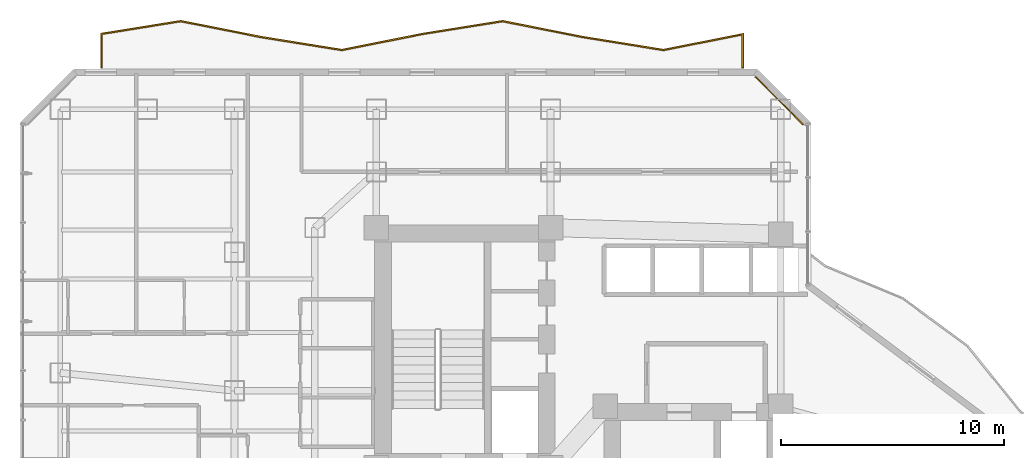
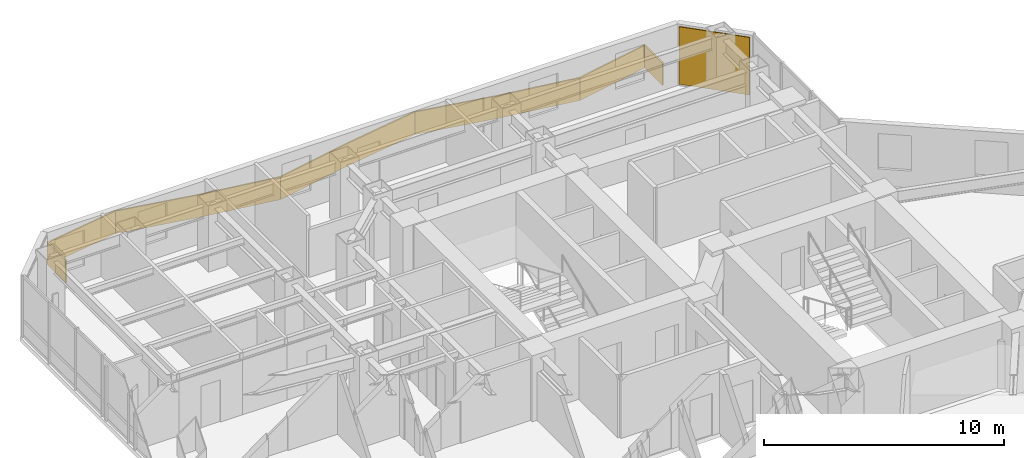
# One storey, part 31 of 31: 1 covering, 1 railing.
"""IFC4 building model written with IfcOpenShell, lengths in metres."""

from ifc_helpers import new_model, si_unit, direction, frame, origin, origin_2d, place, context, subcontext, project, spatial, polyline, rectangle, outline, extrude, material, layer, layer_set, type_object, element, save


model = new_model("IFC4")

# Units and contexts
model_context = context("Model", 3, precision=1e-05, world=origin(), true_north=direction((0.0, 1.0)))
body_context = subcontext(model_context, "Body", "Model", "MODEL_VIEW")
ifc_project = project(units=[si_unit("LENGTHUNIT", "METRE"), si_unit("AREAUNIT", "SQUARE_METRE"), si_unit("VOLUMEUNIT", "CUBIC_METRE"), si_unit("PLANEANGLEUNIT", "RADIAN"), si_unit("MASSUNIT", "GRAM", prefix="KILO")], contexts=[model_context])

# Site, building, storey
site_placement = place(None, origin())
site = spatial("IfcSite", under=ifc_project, at=site_placement, CompositionType="ELEMENT")
building_placement = place(site_placement, origin())
building = spatial("IfcBuilding", under=site, at=building_placement, Name="Hatsunagi Terrace Concourse", CompositionType="ELEMENT")
storey_placement = place(building_placement, frame((0.0, 0.0, 81.300048828125)))
storey = spatial("IfcBuildingStorey", under=building, at=storey_placement, Name="L21", CompositionType="ELEMENT", Elevation=81.300048828125)

# Railing
ifc_material_1 = material(Name="Laminated Glass and Stainless Steel Guard", Category="steel")
ifc_layer_1 = layer(ifc_material_1, 0.070068359375)
ifc_layer_set_1 = layer_set([ifc_layer_1], Name="BalconyGlassGuardRail_1150")
railing_type = type_object("IfcRailingType", Name="BalconyGlassGuardRail_1150", PredefinedType="BALUSTRADE", material=ifc_layer_set_1)
railing_placement = place(storey_placement, origin())
element("IfcRailing", 1, at=railing_placement, inside=storey, type_object=railing_type, Name="Engawa Balcony Guard GRD-01 L21-BN-1", PredefinedType="BALUSTRADE", context=body_context, shape_type="SweptSolid", body=[
    extrude(outline(polyline([(13.215087890625, 50.449951171875), (13.284912109375, 50.449951171875), (13.284912109375, 51.9453125), (16.79833984375, 52.509521484375), (20.384765625, 51.798583984375), (24.001708984375, 51.21728515625), (27.615234375, 51.9345703125), (31.1982421875, 52.509521484375), (34.784912109375, 51.798583984375), (38.401611328125, 51.21728515625), (41.9150390625, 51.914306640625), (41.9150390625, 50.449951171875), (41.985107421875, 50.449951171875), (41.985107421875, 51.99951171875), (38.400390625, 51.28857421875), (34.797119140625, 51.867431640625), (31.19970703125, 52.58056640625), (27.602783203125, 52.00341796875), (24.000244140625, 51.28857421875), (20.397216796875, 51.867431640625), (16.799560546875, 52.58056640625), (13.215087890625, 52.0048828125), (13.215087890625, 50.449951171875)])), origin(), (0.0, 0.0, 1.0), 1.14990234375),
])

# Covering
ifc_material_2 = material(Name="Unglazed Warm Terracotta Rainscreen Tile", Category="masonry")
ifc_layer_2 = layer(ifc_material_2, 0.044921875)
ifc_layer_set_2 = layer_set([ifc_layer_2], Name="TerracottaRainscreenCladding_45")
covering_type = type_object("IfcCoveringType", Name="TerracottaRainscreenCladding_45", PredefinedType="CLADDING", material=ifc_layer_set_2)
covering_placement = place(storey_placement, frame((43.5859375, 48.986083984375, 0.10009765625), z_axis=(0.0, 0.0, 1.0), x_axis=(0.707106781187, -0.707106781187, 0.0)))
element("IfcCovering", 2, at=covering_placement, inside=storey, type_object=covering_type, Name="Terracotta Rainscreen Cladding L21-12", PredefinedType="CLADDING", context=body_context, shape_type="SweptSolid", body=[
    extrude(rectangle(XDim=3.0380859375, YDim=0.044921875, at=origin_2d()), origin(), (0.0, 0.0, 1.0), 2.929931640625),
])

save(model, "model.ifc")
